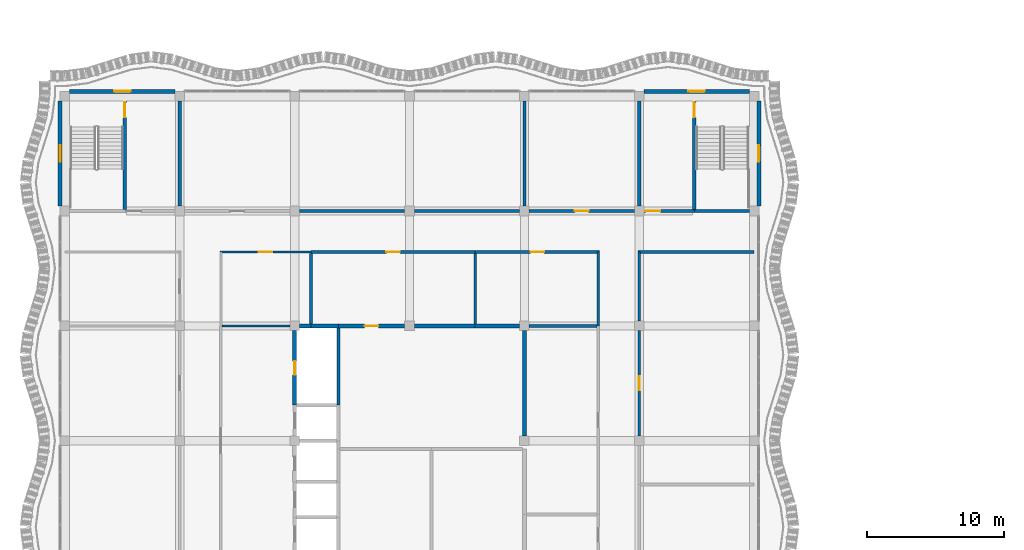
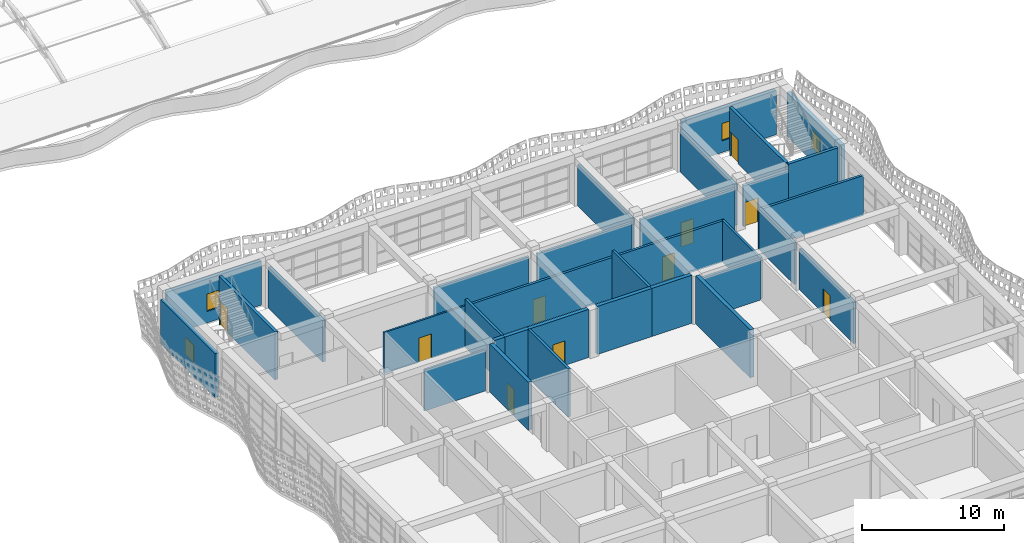
# One storey, part 112 of 163: 33 walls, 10 doors, 4 windows, 14 openings.
"""IFC4 building model written with IfcOpenShell, lengths in metres."""

from ifc_helpers import new_model, si_unit, direction, frame, frame_2d, origin, place, context, subcontext, project, spatial, rectangle, extrude, material, layer, layer_set, type_object, element, fill, save


model = new_model("IFC4")

# Units and contexts
model_context = context("Model", 3, precision=1e-05, world=origin(), true_north=direction((0.0, 1.0)))
body_context = subcontext(model_context, "Body", "Model", "MODEL_VIEW")
ifc_project = project(units=[si_unit("LENGTHUNIT", "METRE"), si_unit("AREAUNIT", "SQUARE_METRE"), si_unit("VOLUMEUNIT", "CUBIC_METRE"), si_unit("PLANEANGLEUNIT", "RADIAN"), si_unit("MASSUNIT", "GRAM", prefix="KILO")], contexts=[model_context])

# Site, building, storey
site_placement = place(None, origin())
site = spatial("IfcSite", under=ifc_project, at=site_placement, CompositionType="ELEMENT")
building_placement = place(site_placement, origin())
building = spatial("IfcBuilding", under=site, at=building_placement, Name="Rain Tree Exposition and Congress Centre", CompositionType="ELEMENT")
storey_placement = place(building_placement, frame((0.0, 0.0, 10.5)))
storey = spatial("IfcBuildingStorey", under=building, at=storey_placement, Name="L02", CompositionType="ELEMENT", Elevation=10.5)

# Wall, opening, door
ifc_material_1 = material(Name="Plasterboard on steel stud", Category="steel")
ifc_layer_1 = layer(ifc_material_1, 0.199951171875)
ifc_layer_set_1 = layer_set([ifc_layer_1], Name="Plasterboard on steel stud")
wall_type_1 = type_object("IfcWallType", Name="Wing acoustic partition 200", PredefinedType="PARTITIONING", material=ifc_layer_set_1)
wall_1_placement = place(storey_placement, frame((30.0, 39.0, 0.0), z_axis=(0.0, 0.0, 1.0), x_axis=(1.0, 0.0, 0.0)))
wall_1 = element("IfcWall", 1, at=wall_1_placement, inside=storey, type_object=wall_type_1, Name="wing/wall/L02/041", PredefinedType="PARTITIONING", context=body_context, shape_type="SweptSolid", body=[
    extrude(rectangle(XDim=9.10009765625, YDim=0.199951171875, at=frame_2d((4.550048828125, 0.0))), origin(), (0.0, 0.0, 1.0), 3.550048828125),
])
opening_1_placement = place(wall_1_placement, frame((4.050048828125, 0.0, 0.0)))
opening_1 = element("IfcOpeningElement", 2, at=opening_1_placement, cuts=wall_1, Name="Opening DW332", PredefinedType="OPENING", context=body_context, shape_type="SweptSolid", body=[
    extrude(rectangle(XDim=1.0, YDim=2.10009765625, at=frame_2d((0.5, 1.050048828125))), frame((0.0, 0.10009765625, 0.0), z_axis=(0.0, -1.0, 0.0), x_axis=(1.0, 0.0, 0.0)), (0.0, 0.0, 1.0), 0.199951171875),
])
ifc_material_2 = material(Name="Timber door leaf", Category="wood")
door_type_1 = type_object("IfcDoorType", Name="Wing door FD30S 1000x2100", OperationType="NOTDEFINED", PredefinedType="DOOR", material=ifc_material_2)
door_1_placement = place(opening_1_placement, origin())
door_1 = element("IfcDoor", 3, at=door_1_placement, inside=storey, type_object=door_type_1, Name="Door DW332", OperationType="SINGLE_SWING_LEFT", OverallHeight=2.10009765625, OverallWidth=1.0, PredefinedType="DOOR", context=body_context, shape_type="SweptSolid", body=[
    extrude(rectangle(XDim=1.0, YDim=2.10009765625, at=frame_2d((0.5, 1.050048828125))), frame((0.0, 0.02490234375, 0.0), z_axis=(0.0, -1.0, 0.0), x_axis=(1.0, 0.0, 0.0)), (0.0, 0.0, 1.0), 0.050048828125),
])
fill(opening_1, door_1)

# Walls
wall_2_placement = place(storey_placement, frame((41.89990234375, 39.0, 0.0), z_axis=(0.0, 0.0, 1.0), x_axis=(1.0, 0.0, 0.0)))
element("IfcWall", 4, at=wall_2_placement, inside=storey, type_object=wall_type_1, Name="wing/wall/L02/042", PredefinedType="PARTITIONING", context=body_context, shape_type="SweptSolid", body=[
    extrude(rectangle(XDim=8.5, YDim=0.199951171875, at=frame_2d((4.25, 0.0))), origin(), (0.0, 0.0, 1.0), 3.449951171875),
])
wall_3_placement = place(storey_placement, frame((17.14990234375, 42.0, 0.0), z_axis=(0.0, 0.0, 1.0), x_axis=(1.0, 0.0, 0.0)))
element("IfcWall", 5, at=wall_3_placement, inside=storey, type_object=wall_type_1, Name="wing/wall/L02/046", PredefinedType="PARTITIONING", context=body_context, shape_type="SweptSolid", body=[
    extrude(rectangle(XDim=7.7001953125, YDim=0.199951171875, at=frame_2d((3.85009765625, 0.0))), origin(), (0.0, 0.0, 1.0), 3.550048828125),
])
wall_4_placement = place(storey_placement, frame((25.550048828125, 42.0, 0.0), z_axis=(0.0, 0.0, 1.0), x_axis=(1.0, 0.0, 0.0)))
element("IfcWall", 6, at=wall_4_placement, inside=storey, type_object=wall_type_1, Name="wing/wall/L02/047", PredefinedType="PARTITIONING", context=body_context, shape_type="SweptSolid", body=[
    extrude(rectangle(XDim=7.699951171875, YDim=0.199951171875, at=frame_2d((3.85009765625, 0.0))), origin(), (0.0, 0.0, 1.0), 3.550048828125),
])

# Wall, opening, door
wall_5_placement = place(storey_placement, frame((33.949951171875, 42.0, 0.0), z_axis=(0.0, 0.0, 1.0), x_axis=(1.0, 0.0, 0.0)))
wall_5 = element("IfcWall", 7, at=wall_5_placement, inside=storey, type_object=wall_type_1, Name="wing/wall/L02/048", PredefinedType="PARTITIONING", context=body_context, shape_type="SweptSolid", body=[
    extrude(rectangle(XDim=7.699951171875, YDim=0.199951171875, at=frame_2d((3.85009765625, 0.0))), origin(), (0.0, 0.0, 1.0), 3.550048828125),
])
opening_2_placement = place(wall_5_placement, frame((3.35009765625, 0.0, 0.0)))
opening_2 = element("IfcOpeningElement", 8, at=opening_2_placement, cuts=wall_5, Name="Opening DW328", PredefinedType="OPENING", context=body_context, shape_type="SweptSolid", body=[
    extrude(rectangle(XDim=1.0, YDim=2.10009765625, at=frame_2d((0.5, 1.050048828125))), frame((0.0, 0.10009765625, 0.0), z_axis=(0.0, -1.0, 0.0), x_axis=(1.0, 0.0, 0.0)), (0.0, 0.0, 1.0), 0.199951171875),
])
door_2_placement = place(opening_2_placement, origin())
door_2 = element("IfcDoor", 9, at=door_2_placement, inside=storey, type_object=door_type_1, Name="Door DW328", OperationType="SINGLE_SWING_LEFT", OverallHeight=2.10009765625, OverallWidth=1.0, PredefinedType="DOOR", context=body_context, shape_type="SweptSolid", body=[
    extrude(rectangle(XDim=1.0, YDim=2.10009765625, at=frame_2d((0.5, 1.050048828125))), frame((0.0, 0.02490234375, 0.0), z_axis=(0.0, -1.0, 0.0), x_axis=(1.0, 0.0, 0.0)), (0.0, 0.0, 1.0), 0.050048828125),
])
fill(opening_2, door_2)

# Walls
wall_6_placement = place(storey_placement, frame((33.60009765625, 42.35009765625, 0.0), z_axis=(0.0, 0.0, 1.0), x_axis=(0.0, 1.0, 0.0)))
element("IfcWall", 10, at=wall_6_placement, inside=storey, type_object=wall_type_1, Name="wing/wall/L02/082", PredefinedType="PARTITIONING", context=body_context, shape_type="SweptSolid", body=[
    extrude(rectangle(XDim=7.699951171875, YDim=0.199951171875, at=frame_2d((3.85009765625, 0.0))), origin(), (0.0, 0.0, 1.0), 3.550048828125),
])
wall_7_placement = place(storey_placement, frame((39.0, 33.60009765625, 0.0), z_axis=(0.0, 0.0, 1.0), x_axis=(0.0, 1.0, 0.0)))
element("IfcWall", 11, at=wall_7_placement, inside=storey, type_object=wall_type_1, Name="wing/wall/L02/086", PredefinedType="PARTITIONING", context=body_context, shape_type="SweptSolid", body=[
    extrude(rectangle(XDim=5.39990234375, YDim=0.199951171875, at=frame_2d((2.699951171875, 0.0))), origin(), (0.0, 0.0, 1.0), 3.550048828125),
])

# Wall, opening, door
wall_8_placement = place(storey_placement, frame((42.0, 25.550048828125, 0.0), z_axis=(0.0, 0.0, 1.0), x_axis=(0.0, 1.0, 0.0)))
wall_8 = element("IfcWall", 12, at=wall_8_placement, inside=storey, type_object=wall_type_1, Name="wing/wall/L02/091", PredefinedType="PARTITIONING", context=body_context, shape_type="SweptSolid", body=[
    extrude(rectangle(XDim=7.699951171875, YDim=0.199951171875, at=frame_2d((3.85009765625, 0.0))), origin(), (0.0, 0.0, 1.0), 3.550048828125),
])
opening_3_placement = place(wall_8_placement, frame((3.35009765625, 0.0, 0.0)))
opening_3 = element("IfcOpeningElement", 13, at=opening_3_placement, cuts=wall_8, Name="Opening DW324", PredefinedType="OPENING", context=body_context, shape_type="SweptSolid", body=[
    extrude(rectangle(XDim=1.0, YDim=2.10009765625, at=frame_2d((0.5, 1.050048828125))), frame((0.0, 0.10009765625, 0.0), z_axis=(0.0, -1.0, 0.0), x_axis=(1.0, 0.0, 0.0)), (0.0, 0.0, 1.0), 0.199951171875),
])
door_3_placement = place(opening_3_placement, origin())
door_3 = element("IfcDoor", 14, at=door_3_placement, inside=storey, type_object=door_type_1, Name="Door DW324", OperationType="SINGLE_SWING_LEFT", OverallHeight=2.10009765625, OverallWidth=1.0, PredefinedType="DOOR", context=body_context, shape_type="SweptSolid", body=[
    extrude(rectangle(XDim=1.0, YDim=2.10009765625, at=frame_2d((0.5, 1.050048828125))), frame((0.0, 0.02490234375, 0.0), z_axis=(0.0, -1.0, 0.0), x_axis=(1.0, 0.0, 0.0)), (0.0, 0.0, 1.0), 0.050048828125),
])
fill(opening_3, door_3)

# Walls
wall_9_placement = place(storey_placement, frame((42.0, 33.949951171875, 0.0), z_axis=(0.0, 0.0, 1.0), x_axis=(0.0, 1.0, 0.0)))
element("IfcWall", 15, at=wall_9_placement, inside=storey, type_object=wall_type_1, Name="wing/wall/L02/092", PredefinedType="PARTITIONING", context=body_context, shape_type="SweptSolid", body=[
    extrude(rectangle(XDim=5.050048828125, YDim=0.199951171875, at=frame_2d((2.52490234375, 0.0))), origin(), (0.0, 0.0, 1.0), 3.550048828125),
])
ifc_material_3 = material(Name="Concrete C40/50", Category="concrete")
ifc_layer_2 = layer(ifc_material_3, 0.300048828125)
ifc_layer_set_2 = layer_set([ifc_layer_2], Name="Concrete C40/50")
wall_type_2 = type_object("IfcWallType", Name="Wing core wall 300", PredefinedType="SHEAR", material=ifc_layer_set_2)
wall_10_placement = place(storey_placement, frame((17.14990234375, 33.60009765625, 0.0), z_axis=(0.0, 0.0, 1.0), x_axis=(1.0, 0.0, 0.0)))
element("IfcWall", 16, at=wall_10_placement, inside=storey, type_object=wall_type_2, Name="wing/wall/L02/032", PredefinedType="SHEAR", context=body_context, shape_type="SweptSolid", body=[
    extrude(rectangle(XDim=0.85009765625, YDim=0.300048828125, at=frame_2d((0.425048828125, 0.0))), origin(), (0.0, 0.0, 1.0), 4.14990234375),
])
wall_11_placement = place(storey_placement, frame((18.0, 33.60009765625, 0.0), z_axis=(0.0, 0.0, 1.0), x_axis=(1.0, 0.0, 0.0)))
element("IfcWall", 17, at=wall_11_placement, inside=storey, type_object=wall_type_2, Name="wing/wall/L02/033", PredefinedType="SHEAR", context=body_context, shape_type="SweptSolid", body=[
    extrude(rectangle(XDim=2.0, YDim=0.300048828125, at=frame_2d((1.0, 0.0))), origin(), (0.0, 0.0, 1.0), 4.14990234375),
])

# Wall, opening, door
wall_12_placement = place(storey_placement, frame((20.0, 33.60009765625, 0.0), z_axis=(0.0, 0.0, 1.0), x_axis=(1.0, 0.0, 0.0)))
wall_12 = element("IfcWall", 18, at=wall_12_placement, inside=storey, type_object=wall_type_2, Name="wing/wall/L02/034", PredefinedType="SHEAR", context=body_context, shape_type="SweptSolid", body=[
    extrude(rectangle(XDim=4.85009765625, YDim=0.300048828125, at=frame_2d((2.425048828125, 0.0))), origin(), (0.0, 0.0, 1.0), 4.14990234375),
])
opening_4_placement = place(wall_12_placement, frame((1.925048828125, 0.0, 0.0)))
opening_4 = element("IfcOpeningElement", 19, at=opening_4_placement, cuts=wall_12, Name="Opening DW316", PredefinedType="OPENING", context=body_context, shape_type="SweptSolid", body=[
    extrude(rectangle(XDim=1.0, YDim=2.10009765625, at=frame_2d((0.5, 1.050048828125))), frame((0.0, 0.14990234375, 0.0), z_axis=(0.0, -1.0, 0.0), x_axis=(1.0, 0.0, 0.0)), (0.0, 0.0, 1.0), 0.300048828125),
])
ifc_material_4 = material(Name="Timber door leaf", Category="wood")
door_type_2 = type_object("IfcDoorType", Name="Wing door FD60 1000x2100", OperationType="NOTDEFINED", PredefinedType="DOOR", material=ifc_material_4)
door_4_placement = place(opening_4_placement, origin())
door_4 = element("IfcDoor", 20, at=door_4_placement, inside=storey, type_object=door_type_2, Name="Door DW316", OperationType="SINGLE_SWING_LEFT", OverallHeight=2.10009765625, OverallWidth=1.0, PredefinedType="DOOR", context=body_context, shape_type="SweptSolid", body=[
    extrude(rectangle(XDim=1.0, YDim=2.10009765625, at=frame_2d((0.5, 1.050048828125))), frame((0.0, 0.02490234375, 0.0), z_axis=(0.0, -1.0, 0.0), x_axis=(1.0, 0.0, 0.0)), (0.0, 0.0, 1.0), 0.050048828125),
])
fill(opening_4, door_4)

# Walls
wall_13_placement = place(storey_placement, frame((25.550048828125, 33.60009765625, 0.0), z_axis=(0.0, 0.0, 1.0), x_axis=(1.0, 0.0, 0.0)))
element("IfcWall", 21, at=wall_13_placement, inside=storey, type_object=wall_type_2, Name="wing/wall/L02/035", PredefinedType="SHEAR", context=body_context, shape_type="SweptSolid", body=[
    extrude(rectangle(XDim=4.449951171875, YDim=0.300048828125, at=frame_2d((2.22509765625, 0.0))), origin(), (0.0, 0.0, 1.0), 4.14990234375),
])
wall_14_placement = place(storey_placement, frame((30.0, 33.60009765625, 0.0), z_axis=(0.0, 0.0, 1.0), x_axis=(1.0, 0.0, 0.0)))
element("IfcWall", 22, at=wall_14_placement, inside=storey, type_object=wall_type_2, Name="wing/wall/L02/036", PredefinedType="SHEAR", context=body_context, shape_type="SweptSolid", body=[
    extrude(rectangle(XDim=3.25, YDim=0.300048828125, at=frame_2d((1.625, 0.0))), origin(), (0.0, 0.0, 1.0), 4.14990234375),
])

# Wall, opening, door
wall_15_placement = place(storey_placement, frame((16.800048828125, 27.800048828125, 0.0), z_axis=(0.0, 0.0, 1.0), x_axis=(0.0, 1.0, 0.0)))
wall_15 = element("IfcWall", 23, at=wall_15_placement, inside=storey, type_object=wall_type_2, Name="wing/wall/L02/066", PredefinedType="SHEAR", context=body_context, shape_type="SweptSolid", body=[
    extrude(rectangle(XDim=5.449951171875, YDim=0.300048828125, at=frame_2d((2.72509765625, 0.0))), origin(), (0.0, 0.0, 1.0), 4.14990234375),
])
opening_5_placement = place(wall_15_placement, frame((2.22509765625, 0.0, 0.0)))
opening_5 = element("IfcOpeningElement", 24, at=opening_5_placement, cuts=wall_15, Name="Opening DW313", PredefinedType="OPENING", context=body_context, shape_type="SweptSolid", body=[
    extrude(rectangle(XDim=1.0, YDim=2.10009765625, at=frame_2d((0.5, 1.050048828125))), frame((0.0, 0.14990234375, 0.0), z_axis=(0.0, -1.0, 0.0), x_axis=(1.0, 0.0, 0.0)), (0.0, 0.0, 1.0), 0.300048828125),
])
ifc_material_5 = material(Name="Timber door leaf", Category="wood")
door_type_3 = type_object("IfcDoorType", Name="Wing riser access door FD60 1000x2100", OperationType="NOTDEFINED", PredefinedType="DOOR", material=ifc_material_5)
door_5_placement = place(opening_5_placement, origin())
door_5 = element("IfcDoor", 25, at=door_5_placement, inside=storey, type_object=door_type_3, Name="Riser access door DW313", OperationType="SINGLE_SWING_LEFT", OverallHeight=2.10009765625, OverallWidth=1.0, PredefinedType="DOOR", context=body_context, shape_type="SweptSolid", body=[
    extrude(rectangle(XDim=1.0, YDim=2.10009765625, at=frame_2d((0.5, 1.050048828125))), frame((0.0, 0.02490234375, 0.0), z_axis=(0.0, -1.0, 0.0), x_axis=(1.0, 0.0, 0.0)), (0.0, 0.0, 1.0), 0.050048828125),
])
fill(opening_5, door_5)

# Wall
wall_16_placement = place(storey_placement, frame((33.60009765625, 25.550048828125, 0.0), z_axis=(0.0, 0.0, 1.0), x_axis=(0.0, 1.0, 0.0)))
element("IfcWall", 26, at=wall_16_placement, inside=storey, type_object=wall_type_2, Name="wing/wall/L02/081", PredefinedType="SHEAR", context=body_context, shape_type="SweptSolid", body=[
    extrude(rectangle(XDim=7.699951171875, YDim=0.300048828125, at=frame_2d((3.85009765625, 0.0))), origin(), (0.0, 0.0, 1.0), 4.14990234375),
])

# Wall, opening, window
ifc_material_6 = material(Name="Insulated cavity wall")
ifc_layer_3 = layer(ifc_material_6, 0.300048828125)
ifc_layer_set_3 = layer_set([ifc_layer_3], Name="Insulated cavity wall")
wall_type_3 = type_object("IfcWallType", Name="Wing external wall 300", PredefinedType="SOLIDWALL", material=ifc_layer_set_3)
wall_17_placement = place(storey_placement, frame((0.35009765625, 50.75, 0.0), z_axis=(0.0, 0.0, 1.0), x_axis=(1.0, 0.0, 0.0)))
wall_17 = element("IfcWall", 27, at=wall_17_placement, inside=storey, type_object=wall_type_3, Name="wing/facade/L02/N0", PredefinedType="SOLIDWALL", context=body_context, shape_type="SweptSolid", body=[
    extrude(rectangle(XDim=7.699951171875, YDim=0.300048828125, at=frame_2d((3.85009765625, 0.0))), origin(), (0.0, 0.0, 1.0), 3.800048828125),
])
opening_6_placement = place(wall_17_placement, frame((3.25, 0.0, 1.0)))
opening_6 = element("IfcOpeningElement", 28, at=opening_6_placement, cuts=wall_17, Name="Opening WW303", PredefinedType="OPENING", context=body_context, shape_type="SweptSolid", body=[
    extrude(rectangle(XDim=1.199951171875, YDim=1.5, at=frame_2d((0.60009765625, 0.75))), frame((0.0, 0.14990234375, 0.0), z_axis=(0.0, -1.0, 0.0), x_axis=(1.0, 0.0, 0.0)), (0.0, 0.0, 1.0), 0.300048828125),
])
ifc_material_7 = material(Name="Aluminium framed glazing", Category="aluminium")
window_type = type_object("IfcWindowType", Name="Wing window 1200x1500", PartitioningType="SINGLE_PANEL", PredefinedType="WINDOW", material=ifc_material_7)
window_1_placement = place(opening_6_placement, origin())
window_1 = element("IfcWindow", 29, at=window_1_placement, inside=storey, type_object=window_type, Name="wing/window/L02/03", OverallHeight=1.5, OverallWidth=1.199951171875, PartitioningType="SINGLE_PANEL", PredefinedType="WINDOW", context=body_context, shape_type="SweptSolid", body=[
    extrude(rectangle(XDim=1.199951171875, YDim=1.5, at=frame_2d((0.60009765625, 0.75))), frame((0.0, 0.030029296875, 0.0), z_axis=(0.0, -1.0, 0.0), x_axis=(1.0, 0.0, 0.0)), (0.0, 0.0, 1.0), 0.06005859375),
])
fill(opening_6, window_1)

wall_18_placement = place(storey_placement, frame((42.35009765625, 50.75, 0.0), z_axis=(0.0, 0.0, 1.0), x_axis=(1.0, 0.0, 0.0)))
wall_18 = element("IfcWall", 30, at=wall_18_placement, inside=storey, type_object=wall_type_3, Name="wing/facade/L02/N5", PredefinedType="SOLIDWALL", context=body_context, shape_type="SweptSolid", body=[
    extrude(rectangle(XDim=7.699951171875, YDim=0.300048828125, at=frame_2d((3.85009765625, 0.0))), origin(), (0.0, 0.0, 1.0), 3.800048828125),
])
opening_7_placement = place(wall_18_placement, frame((3.25, 0.0, 1.0)))
opening_7 = element("IfcOpeningElement", 31, at=opening_7_placement, cuts=wall_18, Name="Opening WW304", PredefinedType="OPENING", context=body_context, shape_type="SweptSolid", body=[
    extrude(rectangle(XDim=1.199951171875, YDim=1.5, at=frame_2d((0.60009765625, 0.75))), frame((0.0, 0.14990234375, 0.0), z_axis=(0.0, -1.0, 0.0), x_axis=(1.0, 0.0, 0.0)), (0.0, 0.0, 1.0), 0.300048828125),
])
window_2_placement = place(opening_7_placement, origin())
window_2 = element("IfcWindow", 32, at=window_2_placement, inside=storey, type_object=window_type, Name="wing/window/L02/04", OverallHeight=1.5, OverallWidth=1.199951171875, PartitioningType="SINGLE_PANEL", PredefinedType="WINDOW", context=body_context, shape_type="SweptSolid", body=[
    extrude(rectangle(XDim=1.199951171875, YDim=1.5, at=frame_2d((0.60009765625, 0.75))), frame((0.0, 0.030029296875, 0.0), z_axis=(0.0, -1.0, 0.0), x_axis=(1.0, 0.0, 0.0)), (0.0, 0.0, 1.0), 0.06005859375),
])
fill(opening_7, window_2)

wall_19_placement = place(storey_placement, frame((-0.35009765625, 42.35009765625, 0.0), z_axis=(0.0, 0.0, 1.0), x_axis=(0.0, 1.0, 0.0)))
wall_19 = element("IfcWall", 33, at=wall_19_placement, inside=storey, type_object=wall_type_3, Name="wing/facade/L02/W5", PredefinedType="SOLIDWALL", context=body_context, shape_type="SweptSolid", body=[
    extrude(rectangle(XDim=7.699951171875, YDim=0.300048828125, at=frame_2d((3.85009765625, 0.0))), origin(), (0.0, 0.0, 1.0), 3.800048828125),
])
opening_8_placement = place(wall_19_placement, frame((3.25, 0.0, 1.0)))
opening_8 = element("IfcOpeningElement", 34, at=opening_8_placement, cuts=wall_19, Name="Opening WW306", PredefinedType="OPENING", context=body_context, shape_type="SweptSolid", body=[
    extrude(rectangle(XDim=1.199951171875, YDim=1.5, at=frame_2d((0.60009765625, 0.75))), frame((0.0, 0.14990234375, 0.0), z_axis=(0.0, -1.0, 0.0), x_axis=(1.0, 0.0, 0.0)), (0.0, 0.0, 1.0), 0.300048828125),
])
window_3_placement = place(opening_8_placement, origin())
window_3 = element("IfcWindow", 35, at=window_3_placement, inside=storey, type_object=window_type, Name="wing/window/L02/06", OverallHeight=1.5, OverallWidth=1.199951171875, PartitioningType="SINGLE_PANEL", PredefinedType="WINDOW", context=body_context, shape_type="SweptSolid", body=[
    extrude(rectangle(XDim=1.199951171875, YDim=1.5, at=frame_2d((0.60009765625, 0.75))), frame((0.0, 0.030029296875, 0.0), z_axis=(0.0, -1.0, 0.0), x_axis=(1.0, 0.0, 0.0)), (0.0, 0.0, 1.0), 0.06005859375),
])
fill(opening_8, window_3)

wall_20_placement = place(storey_placement, frame((50.75, 42.35009765625, 0.0), z_axis=(0.0, 0.0, 1.0), x_axis=(0.0, 1.0, 0.0)))
wall_20 = element("IfcWall", 36, at=wall_20_placement, inside=storey, type_object=wall_type_3, Name="wing/facade/L02/E5", PredefinedType="SOLIDWALL", context=body_context, shape_type="SweptSolid", body=[
    extrude(rectangle(XDim=7.699951171875, YDim=0.300048828125, at=frame_2d((3.85009765625, 0.0))), origin(), (0.0, 0.0, 1.0), 3.800048828125),
])
opening_9_placement = place(wall_20_placement, frame((3.25, 0.0, 1.0)))
opening_9 = element("IfcOpeningElement", 37, at=opening_9_placement, cuts=wall_20, Name="Opening WW308", PredefinedType="OPENING", context=body_context, shape_type="SweptSolid", body=[
    extrude(rectangle(XDim=1.199951171875, YDim=1.5, at=frame_2d((0.60009765625, 0.75))), frame((0.0, 0.14990234375, 0.0), z_axis=(0.0, -1.0, 0.0), x_axis=(1.0, 0.0, 0.0)), (0.0, 0.0, 1.0), 0.300048828125),
])
window_4_placement = place(opening_9_placement, origin())
window_4 = element("IfcWindow", 38, at=window_4_placement, inside=storey, type_object=window_type, Name="wing/window/L02/08", OverallHeight=1.5, OverallWidth=1.199951171875, PartitioningType="SINGLE_PANEL", PredefinedType="WINDOW", context=body_context, shape_type="SweptSolid", body=[
    extrude(rectangle(XDim=1.199951171875, YDim=1.5, at=frame_2d((0.60009765625, 0.75))), frame((0.0, 0.030029296875, 0.0), z_axis=(0.0, -1.0, 0.0), x_axis=(1.0, 0.0, 0.0)), (0.0, 0.0, 1.0), 0.06005859375),
])
fill(opening_9, window_4)

# Wall
ifc_material_8 = material(Name="Dense blockwork", Category="masonry")
ifc_layer_4 = layer(ifc_material_8, 0.199951171875)
ifc_layer_set_4 = layer_set([ifc_layer_4], Name="Dense blockwork")
wall_type_4 = type_object("IfcWallType", Name="Wing kitchen wall 200", PredefinedType="SOLIDWALL", material=ifc_layer_set_4)
wall_21_placement = place(storey_placement, frame((33.949951171875, 33.60009765625, 0.0), z_axis=(0.0, 0.0, 1.0), x_axis=(1.0, 0.0, 0.0)))
element("IfcWall", 39, at=wall_21_placement, inside=storey, type_object=wall_type_4, Name="wing/wall/L02/037", PredefinedType="SOLIDWALL", context=body_context, shape_type="SweptSolid", body=[
    extrude(rectangle(XDim=4.949951171875, YDim=0.199951171875, at=frame_2d((2.47509765625, 0.0))), origin(), (0.0, 0.0, 1.0), 3.550048828125),
])

# Wall, opening, door
ifc_material_9 = material(Name="Dense blockwork", Category="masonry")
ifc_layer_5 = layer(ifc_material_9, 0.199951171875)
ifc_layer_set_5 = layer_set([ifc_layer_5], Name="Dense blockwork")
wall_type_5 = type_object("IfcWallType", Name="Wing plant room wall 200", PredefinedType="SOLIDWALL", material=ifc_layer_set_5)
wall_22_placement = place(storey_placement, frame((18.0, 39.0, 0.0), z_axis=(0.0, 0.0, 1.0), x_axis=(1.0, 0.0, 0.0)))
wall_22 = element("IfcWall", 40, at=wall_22_placement, inside=storey, type_object=wall_type_5, Name="wing/wall/L02/040", PredefinedType="SOLIDWALL", context=body_context, shape_type="SweptSolid", body=[
    extrude(rectangle(XDim=12.0, YDim=0.199951171875, at=frame_2d((6.0, 0.0))), origin(), (0.0, 0.0, 1.0), 3.550048828125),
])
opening_10_placement = place(wall_22_placement, frame((5.5, 0.0, 0.0)))
opening_10 = element("IfcOpeningElement", 41, at=opening_10_placement, cuts=wall_22, Name="Opening DW318", PredefinedType="OPENING", context=body_context, shape_type="SweptSolid", body=[
    extrude(rectangle(XDim=1.0, YDim=2.10009765625, at=frame_2d((0.5, 1.050048828125))), frame((0.0, 0.10009765625, 0.0), z_axis=(0.0, -1.0, 0.0), x_axis=(1.0, 0.0, 0.0)), (0.0, 0.0, 1.0), 0.199951171875),
])
door_6_placement = place(opening_10_placement, origin())
door_6 = element("IfcDoor", 42, at=door_6_placement, inside=storey, type_object=door_type_2, Name="Door DW318", OperationType="SINGLE_SWING_LEFT", OverallHeight=2.10009765625, OverallWidth=1.0, PredefinedType="DOOR", context=body_context, shape_type="SweptSolid", body=[
    extrude(rectangle(XDim=1.0, YDim=2.10009765625, at=frame_2d((0.5, 1.050048828125))), frame((0.0, 0.02490234375, 0.0), z_axis=(0.0, -1.0, 0.0), x_axis=(1.0, 0.0, 0.0)), (0.0, 0.0, 1.0), 0.050048828125),
])
fill(opening_10, door_6)

# Walls
wall_23_placement = place(storey_placement, frame((18.0, 33.75, 0.0), z_axis=(0.0, 0.0, 1.0), x_axis=(0.0, 1.0, 0.0)))
element("IfcWall", 43, at=wall_23_placement, inside=storey, type_object=wall_type_5, Name="wing/wall/L02/068", PredefinedType="SOLIDWALL", context=body_context, shape_type="SweptSolid", body=[
    extrude(rectangle(XDim=5.14990234375, YDim=0.199951171875, at=frame_2d((2.574951171875, 0.0))), origin(), (0.0, 0.0, 1.0), 4.14990234375),
])
wall_24_placement = place(storey_placement, frame((20.0, 27.800048828125, 0.0), z_axis=(0.0, 0.0, 1.0), x_axis=(0.0, 1.0, 0.0)))
element("IfcWall", 44, at=wall_24_placement, inside=storey, type_object=wall_type_5, Name="wing/wall/L02/074", PredefinedType="SOLIDWALL", context=body_context, shape_type="SweptSolid", body=[
    extrude(rectangle(XDim=5.64990234375, YDim=0.199951171875, at=frame_2d((2.824951171875, 0.0))), origin(), (0.0, 0.0, 1.0), 4.14990234375),
])
wall_25_placement = place(storey_placement, frame((30.0, 33.75, 0.0), z_axis=(0.0, 0.0, 1.0), x_axis=(0.0, 1.0, 0.0)))
element("IfcWall", 45, at=wall_25_placement, inside=storey, type_object=wall_type_5, Name="wing/wall/L02/078", PredefinedType="SOLIDWALL", context=body_context, shape_type="SweptSolid", body=[
    extrude(rectangle(XDim=5.14990234375, YDim=0.199951171875, at=frame_2d((2.574951171875, 0.0))), origin(), (0.0, 0.0, 1.0), 4.14990234375),
])

# Wall, opening, door
ifc_material_10 = material(Name="Concrete C40/50", Category="concrete")
ifc_layer_6 = layer(ifc_material_10, 0.25)
ifc_layer_set_6 = layer_set([ifc_layer_6], Name="Concrete C40/50")
wall_type_6 = type_object("IfcWallType", Name="Wing stair wall 250", PredefinedType="SHEAR", material=ifc_layer_set_6)
wall_26_placement = place(storey_placement, frame((42.35009765625, 42.0, 0.0), z_axis=(0.0, 0.0, 1.0), x_axis=(1.0, 0.0, 0.0)))
wall_26 = element("IfcWall", 46, at=wall_26_placement, inside=storey, type_object=wall_type_6, Name="wing/wall/L02/049", PredefinedType="SHEAR", context=body_context, shape_type="SweptSolid", body=[
    extrude(rectangle(XDim=3.6748046875, YDim=0.25, at=frame_2d((1.83740234375, 0.0))), origin(), (0.0, 0.0, 1.0), 3.550048828125),
])
opening_11_placement = place(wall_26_placement, frame((0.10009765625, 0.0, 0.0)))
opening_11 = element("IfcOpeningElement", 47, at=opening_11_placement, cuts=wall_26, Name="Opening DW308", PredefinedType="OPENING", context=body_context, shape_type="SweptSolid", body=[
    extrude(rectangle(XDim=1.10009765625, YDim=2.10009765625, at=frame_2d((0.550048828125, 1.050048828125))), frame((0.0, 0.125, 0.0), z_axis=(0.0, -1.0, 0.0), x_axis=(1.0, 0.0, 0.0)), (0.0, 0.0, 1.0), 0.25),
])
ifc_material_11 = material(Name="Timber door leaf", Category="wood")
door_type_4 = type_object("IfcDoorType", Name="Wing door FD60 1100x2100", OperationType="NOTDEFINED", PredefinedType="DOOR", material=ifc_material_11)
door_7_placement = place(opening_11_placement, origin())
door_7 = element("IfcDoor", 48, at=door_7_placement, inside=storey, type_object=door_type_4, Name="Door DW308", OperationType="SINGLE_SWING_LEFT", OverallHeight=2.10009765625, OverallWidth=1.10009765625, PredefinedType="DOOR", context=body_context, shape_type="SweptSolid", body=[
    extrude(rectangle(XDim=1.10009765625, YDim=2.10009765625, at=frame_2d((0.550048828125, 1.050048828125))), frame((0.0, 0.02490234375, 0.0), z_axis=(0.0, -1.0, 0.0), x_axis=(1.0, 0.0, 0.0)), (0.0, 0.0, 1.0), 0.050048828125),
])
fill(opening_11, door_7)

# Wall
wall_27_placement = place(storey_placement, frame((46.02490234375, 42.0, 0.0), z_axis=(0.0, 0.0, 1.0), x_axis=(1.0, 0.0, 0.0)))
element("IfcWall", 49, at=wall_27_placement, inside=storey, type_object=wall_type_6, Name="wing/wall/L02/050", PredefinedType="SHEAR", context=body_context, shape_type="SweptSolid", body=[
    extrude(rectangle(XDim=4.025146484375, YDim=0.25, at=frame_2d((2.0126953125, 0.0))), origin(), (0.0, 0.0, 1.0), 4.14990234375),
])

# Wall, opening, door
wall_28_placement = place(storey_placement, frame((4.375, 42.125, 0.0), z_axis=(0.0, 0.0, 1.0), x_axis=(0.0, 1.0, 0.0)))
wall_28 = element("IfcWall", 50, at=wall_28_placement, inside=storey, type_object=wall_type_6, Name="wing/wall/L02/052", PredefinedType="SHEAR", context=body_context, shape_type="SweptSolid", body=[
    extrude(rectangle(XDim=7.925048828125, YDim=0.25, at=frame_2d((3.96240234375, 0.0))), origin(), (0.0, 0.0, 1.0), 4.14990234375),
])
opening_12_placement = place(wall_28_placement, frame((6.72509765625, 0.0, 0.0)))
opening_12 = element("IfcOpeningElement", 51, at=opening_12_placement, cuts=wall_28, Name="Opening DW305", PredefinedType="OPENING", context=body_context, shape_type="SweptSolid", body=[
    extrude(rectangle(XDim=1.10009765625, YDim=2.10009765625, at=frame_2d((0.550048828125, 1.050048828125))), frame((0.0, 0.125, 0.0), z_axis=(0.0, -1.0, 0.0), x_axis=(1.0, 0.0, 0.0)), (0.0, 0.0, 1.0), 0.25),
])
door_8_placement = place(opening_12_placement, origin())
door_8 = element("IfcDoor", 52, at=door_8_placement, inside=storey, type_object=door_type_4, Name="Door DW305", OperationType="SINGLE_SWING_RIGHT", OverallHeight=2.10009765625, OverallWidth=1.10009765625, PredefinedType="DOOR", context=body_context, shape_type="SweptSolid", body=[
    extrude(rectangle(XDim=1.10009765625, YDim=2.10009765625, at=frame_2d((0.550048828125, 1.050048828125))), frame((0.0, 0.02490234375, 0.0), z_axis=(0.0, -1.0, 0.0), x_axis=(1.0, 0.0, 0.0)), (0.0, 0.0, 1.0), 0.050048828125),
])
fill(opening_12, door_8)

# Walls
for number, where, z_axis, x_axis, name in (
    (53, (8.39990234375, 42.35009765625, 0.0), (0.0, 0.0, 1.0), (0.0, 1.0, 0.0), "wing/wall/L02/058"),
    (54, (42.0, 42.35009765625, 0.0), (0.0, 0.0, 1.0), (0.0, 1.0, 0.0), "wing/wall/L02/093"),
):
    element("IfcWall", number, at=place(storey_placement, frame(where, z_axis=z_axis, x_axis=x_axis)), inside=storey, type_object=wall_type_6, Name=name, PredefinedType="SHEAR", context=body_context, shape_type="SweptSolid", body=[
        extrude(rectangle(XDim=7.699951171875, YDim=0.25, at=frame_2d((3.85009765625, 0.0))), origin(), (0.0, 0.0, 1.0), 3.550048828125),
    ])

# Wall, opening, door
wall_29_placement = place(storey_placement, frame((46.02490234375, 42.125, 0.0), z_axis=(0.0, 0.0, 1.0), x_axis=(0.0, 1.0, 0.0)))
wall_29 = element("IfcWall", 55, at=wall_29_placement, inside=storey, type_object=wall_type_6, Name="wing/wall/L02/095", PredefinedType="SHEAR", context=body_context, shape_type="SweptSolid", body=[
    extrude(rectangle(XDim=7.925048828125, YDim=0.25, at=frame_2d((3.96240234375, 0.0))), origin(), (0.0, 0.0, 1.0), 4.14990234375),
])
opening_13_placement = place(wall_29_placement, frame((6.72509765625, 0.0, 0.0)))
opening_13 = element("IfcOpeningElement", 56, at=opening_13_placement, cuts=wall_29, Name="Opening DW307", PredefinedType="OPENING", context=body_context, shape_type="SweptSolid", body=[
    extrude(rectangle(XDim=1.10009765625, YDim=2.10009765625, at=frame_2d((0.550048828125, 1.050048828125))), frame((0.0, 0.125, 0.0), z_axis=(0.0, -1.0, 0.0), x_axis=(1.0, 0.0, 0.0)), (0.0, 0.0, 1.0), 0.25),
])
door_9_placement = place(opening_13_placement, origin())
door_9 = element("IfcDoor", 57, at=door_9_placement, inside=storey, type_object=door_type_4, Name="Door DW307", OperationType="SINGLE_SWING_RIGHT", OverallHeight=2.10009765625, OverallWidth=1.10009765625, PredefinedType="DOOR", context=body_context, shape_type="SweptSolid", body=[
    extrude(rectangle(XDim=1.10009765625, YDim=2.10009765625, at=frame_2d((0.550048828125, 1.050048828125))), frame((0.0, 0.02490234375, 0.0), z_axis=(0.0, -1.0, 0.0), x_axis=(1.0, 0.0, 0.0)), (0.0, 0.0, 1.0), 0.050048828125),
])
fill(opening_13, door_9)

# Wall
ifc_material_12 = material(Name="Plasterboard on steel stud", Category="steel")
ifc_layer_7 = layer(ifc_material_12, 0.14990234375)
ifc_layer_set_7 = layer_set([ifc_layer_7], Name="Plasterboard on steel stud")
wall_type_7 = type_object("IfcWallType", Name="Wing store wall 150", PredefinedType="PARTITIONING", material=ifc_layer_set_7)
wall_30_placement = place(storey_placement, frame((11.5, 33.60009765625, 0.0), z_axis=(0.0, 0.0, 1.0), x_axis=(1.0, 0.0, 0.0)))
element("IfcWall", 58, at=wall_30_placement, inside=storey, type_object=wall_type_7, Name="wing/wall/L02/031", PredefinedType="PARTITIONING", context=body_context, shape_type="SweptSolid", body=[
    extrude(rectangle(XDim=4.949951171875, YDim=0.14990234375, at=frame_2d((2.47509765625, 0.0))), origin(), (0.0, 0.0, 1.0), 3.550048828125),
])

# Wall, opening, door
wall_31_placement = place(storey_placement, frame((11.324951171875, 39.0, 0.0), z_axis=(0.0, 0.0, 1.0), x_axis=(1.0, 0.0, 0.0)))
wall_31 = element("IfcWall", 59, at=wall_31_placement, inside=storey, type_object=wall_type_7, Name="wing/wall/L02/039", PredefinedType="PARTITIONING", context=body_context, shape_type="SweptSolid", body=[
    extrude(rectangle(XDim=6.675048828125, YDim=0.14990234375, at=frame_2d((3.33740234375, 0.0))), origin(), (0.0, 0.0, 1.0), 3.550048828125),
])
opening_14_placement = place(wall_31_placement, frame((2.83740234375, 0.0, 0.0)))
opening_14 = element("IfcOpeningElement", 60, at=opening_14_placement, cuts=wall_31, Name="Opening DW331", PredefinedType="OPENING", context=body_context, shape_type="SweptSolid", body=[
    extrude(rectangle(XDim=1.0, YDim=2.10009765625, at=frame_2d((0.5, 1.050048828125))), frame((0.0, 0.074951171875, 0.0), z_axis=(0.0, -1.0, 0.0), x_axis=(1.0, 0.0, 0.0)), (0.0, 0.0, 1.0), 0.14990234375),
])
door_10_placement = place(opening_14_placement, origin())
door_10 = element("IfcDoor", 61, at=door_10_placement, inside=storey, type_object=door_type_2, Name="Door DW331", OperationType="SINGLE_SWING_LEFT", OverallHeight=2.10009765625, OverallWidth=1.0, PredefinedType="DOOR", context=body_context, shape_type="SweptSolid", body=[
    extrude(rectangle(XDim=1.0, YDim=2.10009765625, at=frame_2d((0.5, 1.050048828125))), frame((0.0, 0.02490234375, 0.0), z_axis=(0.0, -1.0, 0.0), x_axis=(1.0, 0.0, 0.0)), (0.0, 0.0, 1.0), 0.050048828125),
])
fill(opening_14, door_10)

save(model, "model.ifc")
